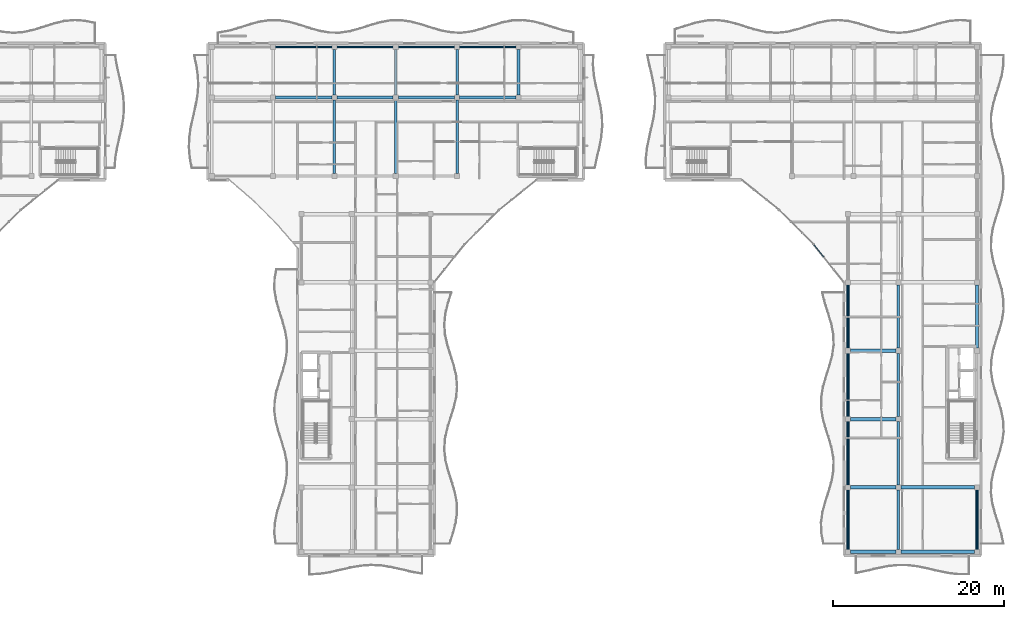
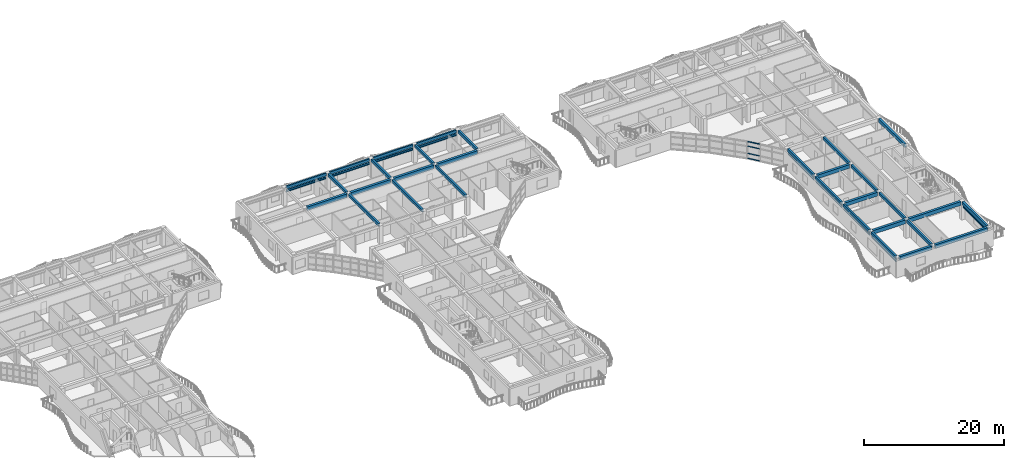
# One storey, part 17 of 71: 31 beams, 22 members, 1 element without a shape of its own.
"""IFC4 building model written with IfcOpenShell, lengths in metres."""

from ifc_helpers import new_model, si_unit, direction, frame, origin, origin_2d, place, context, subcontext, project, spatial, rectangle, hollow_rectangle, extrude, material, layer, layer_set, material_profile, profile_set, type_object, element, aggregate, save


model = new_model("IFC4")

# Units and contexts
model_context = context("Model", 3, precision=1e-05, world=origin(), true_north=direction((0.0, 1.0)))
body_context = subcontext(model_context, "Body", "Model", "MODEL_VIEW")
ifc_project = project(units=[si_unit("LENGTHUNIT", "METRE"), si_unit("AREAUNIT", "SQUARE_METRE"), si_unit("VOLUMEUNIT", "CUBIC_METRE"), si_unit("PLANEANGLEUNIT", "RADIAN"), si_unit("MASSUNIT", "GRAM", prefix="KILO")], contexts=[model_context])

# Site, building, storey
site_placement = place(None, origin())
site = spatial("IfcSite", under=ifc_project, at=site_placement, CompositionType="ELEMENT")
building_placement = place(site_placement, origin())
building = spatial("IfcBuilding", under=site, at=building_placement, Name="Keldmere Railside Commons", CompositionType="ELEMENT")
storey_placement = place(building_placement, frame((0.0, 0.0, 20.159912109375)))
storey = spatial("IfcBuildingStorey", under=building, at=storey_placement, Name="L06", CompositionType="ELEMENT", Elevation=20.159912109375)

# Members
ifc_material_1 = material(Name="Steel F-36 (S355)", Category="steel")
ifc_material_profile_1 = material_profile(ifc_material_1, hollow_rectangle(XDim=0.14990234375, YDim=0.25, WallThickness=0.010009765625, at=origin_2d()), Name="RHS-250x150x10")
ifc_profile_set_1 = profile_set([ifc_material_profile_1], Name="Steel F-36 (S355)")
member_type_1 = type_object("IfcMemberType", Name="Balcony Continuous Planted Trough RHS250x150", PredefinedType="CHORD", material=ifc_profile_set_1)
member_1_placement = place(storey_placement, frame((101.43310546875, 115.550048828125, 2.4150390625), z_axis=(1.0, 0.0, 0.0), x_axis=(0.0, 1.0, 0.0)))
element("IfcMember", 1, at=member_1_placement, inside=storey, type_object=member_type_1, Name="PLT-1 MEM-BPLT-0725", PredefinedType="CHORD", context=body_context, shape_type="SweptSolid", body=[
    extrude(hollow_rectangle(XDim=0.14990234375, YDim=0.25, WallThickness=0.010009765625, at=origin_2d()), origin(), (0.0, 0.0, 1.0), 6.583984375),
])
for number, where, z_axis, x_axis, name in (
    (2, (108.616943359375, 115.550048828125, 2.4150390625), (1.0, 0.0, 0.0), (0.0, 1.0, 0.0), "PLT-1 MEM-BPLT-0727"),
    (3, (115.800048828125, 115.550048828125, 2.4150390625), (1.0, 0.0, 0.0), (0.0, 1.0, 0.0), "PLT-1 MEM-BPLT-0729"),
):
    element("IfcMember", number, at=place(storey_placement, frame(where, z_axis=z_axis, x_axis=x_axis)), inside=storey, type_object=member_type_1, Name=name, PredefinedType="CHORD", context=body_context, shape_type="SweptSolid", body=[
        extrude(hollow_rectangle(XDim=0.14990234375, YDim=0.25, WallThickness=0.010009765625, at=origin_2d()), origin(), (0.0, 0.0, 1.0), 6.5830078125),
    ])
member_2_placement = place(storey_placement, frame((122.98291015625, 115.550048828125, 2.4150390625), z_axis=(1.0, 0.0, 0.0), x_axis=(0.0, 1.0, 0.0)))
element("IfcMember", 4, at=member_2_placement, inside=storey, type_object=member_type_1, Name="PLT-1 MEM-BPLT-0731", PredefinedType="CHORD", context=body_context, shape_type="SweptSolid", body=[
    extrude(hollow_rectangle(XDim=0.14990234375, YDim=0.25, WallThickness=0.010009765625, at=origin_2d()), origin(), (0.0, 0.0, 1.0), 6.583984375),
])
member_3_placement = place(storey_placement, frame((168.449951171875, 56.75, 2.4150390625), z_axis=(0.0, 1.0, 0.0), x_axis=(-1.0, 0.0, 0.0)))
element("IfcMember", 5, at=member_3_placement, inside=storey, type_object=member_type_1, Name="PLT-1 MEM-BPLT-0761", PredefinedType="CHORD", context=body_context, shape_type="SweptSolid", body=[
    extrude(hollow_rectangle(XDim=0.14990234375, YDim=0.25, WallThickness=0.010009765625, at=origin_2d()), origin(), (0.0, 0.0, 1.0), 6.949951171875),
])
for number, where, z_axis, x_axis, name in (
    (6, (168.449951171875, 64.300048828125, 2.4150390625), (0.0, 1.0, 0.0), (-1.0, 0.0, 0.0), "PLT-1 MEM-BPLT-0763"),
    (7, (168.449951171875, 72.300048828125, 2.4150390625), (0.0, 1.0, 0.0), (-1.0, 0.0, 0.0), "PLT-1 MEM-BPLT-0765"),
    (8, (168.449951171875, 80.300048828125, 2.4150390625), (0.0, 1.0, 0.0), (-1.0, 0.0, 0.0), "PLT-1 MEM-BPLT-0767"),
):
    element("IfcMember", number, at=place(storey_placement, frame(where, z_axis=z_axis, x_axis=x_axis)), inside=storey, type_object=member_type_1, Name=name, PredefinedType="CHORD", context=body_context, shape_type="SweptSolid", body=[
        extrude(hollow_rectangle(XDim=0.14990234375, YDim=0.25, WallThickness=0.010009765625, at=origin_2d()), origin(), (0.0, 0.0, 1.0), 7.39990234375),
    ])
member_4_placement = place(storey_placement, frame((183.550048828125, 56.75, 2.4150390625), z_axis=(0.0, 1.0, 0.0), x_axis=(-1.0, 0.0, 0.0)))
element("IfcMember", 9, at=member_4_placement, inside=storey, type_object=member_type_1, Name="PLT-1 MEM-BPLT-0771", PredefinedType="CHORD", context=body_context, shape_type="SweptSolid", body=[
    extrude(hollow_rectangle(XDim=0.14990234375, YDim=0.25, WallThickness=0.010009765625, at=origin_2d()), origin(), (0.0, 0.0, 1.0), 6.949951171875),
])

# Beams
ifc_material_2 = material(Name="Architectural Precast Concrete H-35 (C35/45)", Category="concrete")
ifc_material_profile_2 = material_profile(ifc_material_2, rectangle(XDim=0.25, YDim=0.449951171875, at=origin_2d()), Name="RC-250x450")
ifc_profile_set_2 = profile_set([ifc_material_profile_2], Name="Architectural Precast Concrete H-35 (C35/45)")
beam_type_1 = type_object("IfcBeamType", Name="Perimeter Precast Spandrel Beam 250x450", PredefinedType="SPANDREL", material=ifc_profile_set_2)
beam_1_placement = place(storey_placement, frame((101.43310546875, 115.550048828125, 2.97509765625), z_axis=(1.0, 0.0, 0.0), x_axis=(0.0, 1.0, 0.0)))
element("IfcBeam", 10, at=beam_1_placement, inside=storey, type_object=beam_type_1, Name="SPB-1 BM-L06-1932", PredefinedType="SPANDREL", context=body_context, shape_type="SweptSolid", body=[
    extrude(rectangle(XDim=0.25, YDim=0.449951171875, at=origin_2d()), origin(), (0.0, 0.0, 1.0), 6.583984375),
])
for number, where, z_axis, x_axis, name in (
    (11, (108.616943359375, 115.550048828125, 2.97509765625), (1.0, 0.0, 0.0), (0.0, 1.0, 0.0), "SPB-1 BM-L06-1933"),
    (12, (115.800048828125, 115.550048828125, 2.97509765625), (1.0, 0.0, 0.0), (0.0, 1.0, 0.0), "SPB-1 BM-L06-1934"),
):
    element("IfcBeam", number, at=place(storey_placement, frame(where, z_axis=z_axis, x_axis=x_axis)), inside=storey, type_object=beam_type_1, Name=name, PredefinedType="SPANDREL", context=body_context, shape_type="SweptSolid", body=[
        extrude(rectangle(XDim=0.25, YDim=0.449951171875, at=origin_2d()), origin(), (0.0, 0.0, 1.0), 6.5830078125),
    ])
beam_2_placement = place(storey_placement, frame((122.98291015625, 115.550048828125, 2.97509765625), z_axis=(1.0, 0.0, 0.0), x_axis=(0.0, 1.0, 0.0)))
element("IfcBeam", 13, at=beam_2_placement, inside=storey, type_object=beam_type_1, Name="SPB-1 BM-L06-1935", PredefinedType="SPANDREL", context=body_context, shape_type="SweptSolid", body=[
    extrude(rectangle(XDim=0.25, YDim=0.449951171875, at=origin_2d()), origin(), (0.0, 0.0, 1.0), 6.583984375),
])
ifc_material_3 = material(Name="Concrete H-30 (C30/37)", Category="concrete")
ifc_material_profile_3 = material_profile(ifc_material_3, rectangle(XDim=0.35009765625, YDim=0.60009765625, at=origin_2d()), Name="RC-350x600")
ifc_profile_set_3 = profile_set([ifc_material_profile_3], Name="Concrete H-30 (C30/37)")
beam_type_2 = type_object("IfcBeamType", Name="Residential Chord RC Beam 350x600", PredefinedType="BEAM", material=ifc_profile_set_3)
beam_3_placement = place(storey_placement, frame((183.550048828125, 56.75, 2.900146484375), z_axis=(0.0, 1.0, 0.0), x_axis=(-1.0, 0.0, 0.0)))
element("IfcBeam", 14, at=beam_3_placement, inside=storey, type_object=beam_type_2, Name="BG-4 BM-L06-2014", PredefinedType="BEAM", context=body_context, shape_type="SweptSolid", body=[
    extrude(rectangle(XDim=0.35009765625, YDim=0.60009765625, at=origin_2d()), origin(), (0.0, 0.0, 1.0), 6.949951171875),
])
beam_4_placement = place(storey_placement, frame((183.550048828125, 80.300048828125, 2.900146484375), z_axis=(0.0, 1.0, 0.0), x_axis=(-1.0, 0.0, 0.0)))
element("IfcBeam", 15, at=beam_4_placement, inside=storey, type_object=beam_type_2, Name="BG-4 BM-L06-2015", PredefinedType="BEAM", context=body_context, shape_type="SweptSolid", body=[
    extrude(rectangle(XDim=0.35009765625, YDim=0.60009765625, at=origin_2d()), origin(), (0.0, 0.0, 1.0), 7.39990234375),
])
ifc_material_profile_4 = material_profile(ifc_material_3, rectangle(XDim=0.39990234375, YDim=0.64990234375, at=origin_2d()), Name="RC-400x650")
ifc_profile_set_4 = profile_set([ifc_material_profile_4], Name="Concrete H-30 (C30/37)")
beam_type_3 = type_object("IfcBeamType", Name="Residential Spine RC Girder 400x650", PredefinedType="BEAM", material=ifc_profile_set_4)
beam_5_placement = place(storey_placement, frame((168.75, 56.449951171875, 2.875), z_axis=(1.0, 0.0, 0.0), x_axis=(0.0, 1.0, 0.0)))
element("IfcBeam", 16, at=beam_5_placement, inside=storey, type_object=beam_type_3, Name="BG-3 BM-L06-1863", PredefinedType="BEAM", context=body_context, shape_type="SweptSolid", body=[
    extrude(rectangle(XDim=0.39990234375, YDim=0.64990234375, at=origin_2d()), origin(), (0.0, 0.0, 1.0), 5.300048828125),
])
beam_6_placement = place(storey_placement, frame((174.64990234375, 56.449951171875, 2.875), z_axis=(1.0, 0.0, 0.0), x_axis=(0.0, 1.0, 0.0)))
element("IfcBeam", 17, at=beam_6_placement, inside=storey, type_object=beam_type_3, Name="BG-3 BM-L06-1864", PredefinedType="BEAM", context=body_context, shape_type="SweptSolid", body=[
    extrude(rectangle(XDim=0.39990234375, YDim=0.64990234375, at=origin_2d()), origin(), (0.0, 0.0, 1.0), 8.60009765625),
])
beam_7_placement = place(storey_placement, frame((168.75, 64.0, 2.875), z_axis=(1.0, 0.0, 0.0), x_axis=(0.0, 1.0, 0.0)))
element("IfcBeam", 18, at=beam_7_placement, inside=storey, type_object=beam_type_3, Name="BG-3 BM-L06-1871", PredefinedType="BEAM", context=body_context, shape_type="SweptSolid", body=[
    extrude(rectangle(XDim=0.39990234375, YDim=0.64990234375, at=origin_2d()), origin(), (0.0, 0.0, 1.0), 5.300048828125),
])
beam_8_placement = place(storey_placement, frame((174.64990234375, 64.0, 2.875), z_axis=(1.0, 0.0, 0.0), x_axis=(0.0, 1.0, 0.0)))
element("IfcBeam", 19, at=beam_8_placement, inside=storey, type_object=beam_type_3, Name="BG-3 BM-L06-1872", PredefinedType="BEAM", context=body_context, shape_type="SweptSolid", body=[
    extrude(rectangle(XDim=0.39990234375, YDim=0.64990234375, at=origin_2d()), origin(), (0.0, 0.0, 1.0), 8.60009765625),
])
for number, where, z_axis, x_axis, name in (
    (20, (168.75, 72.0, 2.875), (1.0, 0.0, 0.0), (0.0, 1.0, 0.0), "BG-3 BM-L06-1876"),
    (21, (168.75, 80.0, 2.875), (1.0, 0.0, 0.0), (0.0, 1.0, 0.0), "BG-3 BM-L06-1880"),
):
    element("IfcBeam", number, at=place(storey_placement, frame(where, z_axis=z_axis, x_axis=x_axis)), inside=storey, type_object=beam_type_3, Name=name, PredefinedType="BEAM", context=body_context, shape_type="SweptSolid", body=[
        extrude(rectangle(XDim=0.39990234375, YDim=0.64990234375, at=origin_2d()), origin(), (0.0, 0.0, 1.0), 5.300048828125),
    ])
beam_9_placement = place(storey_placement, frame((101.43310546875, 109.64990234375, 2.875), z_axis=(1.0, 0.0, 0.0), x_axis=(0.0, 1.0, 0.0)))
element("IfcBeam", 22, at=beam_9_placement, inside=storey, type_object=beam_type_3, Name="BG-3 BM-L06-1916", PredefinedType="BEAM", context=body_context, shape_type="SweptSolid", body=[
    extrude(rectangle(XDim=0.39990234375, YDim=0.64990234375, at=origin_2d()), origin(), (0.0, 0.0, 1.0), 6.583984375),
])
for number, where, z_axis, x_axis, name in (
    (23, (108.616943359375, 109.64990234375, 2.875), (1.0, 0.0, 0.0), (0.0, 1.0, 0.0), "BG-3 BM-L06-1917"),
    (24, (115.800048828125, 109.64990234375, 2.875), (1.0, 0.0, 0.0), (0.0, 1.0, 0.0), "BG-3 BM-L06-1918"),
):
    element("IfcBeam", number, at=place(storey_placement, frame(where, z_axis=z_axis, x_axis=x_axis)), inside=storey, type_object=beam_type_3, Name=name, PredefinedType="BEAM", context=body_context, shape_type="SweptSolid", body=[
        extrude(rectangle(XDim=0.39990234375, YDim=0.64990234375, at=origin_2d()), origin(), (0.0, 0.0, 1.0), 6.5830078125),
    ])
beam_10_placement = place(storey_placement, frame((122.98291015625, 109.64990234375, 2.875), z_axis=(1.0, 0.0, 0.0), x_axis=(0.0, 1.0, 0.0)))
element("IfcBeam", 25, at=beam_10_placement, inside=storey, type_object=beam_type_3, Name="BG-3 BM-L06-1919", PredefinedType="BEAM", context=body_context, shape_type="SweptSolid", body=[
    extrude(rectangle(XDim=0.39990234375, YDim=0.64990234375, at=origin_2d()), origin(), (0.0, 0.0, 1.0), 6.583984375),
])
ifc_material_profile_5 = material_profile(ifc_material_3, rectangle(XDim=0.300048828125, YDim=0.5, at=origin_2d()), Name="RC-300x500")
ifc_profile_set_5 = profile_set([ifc_material_profile_5], Name="Concrete H-30 (C30/37)")
beam_type_4 = type_object("IfcBeamType", Name="Secondary Frame RC Beam 300x500", PredefinedType="BEAM", material=ifc_profile_set_5)
beam_11_placement = place(storey_placement, frame((108.31689453125, 100.75, 2.9501953125), z_axis=(0.0, 1.0, 0.0), x_axis=(-1.0, 0.0, 0.0)))
element("IfcBeam", 26, at=beam_11_placement, inside=storey, type_object=beam_type_4, Name="BG-5 BM-L06-1979", PredefinedType="BEAM", context=body_context, shape_type="SweptSolid", body=[
    extrude(rectangle(XDim=0.300048828125, YDim=0.5, at=origin_2d()), origin(), (0.0, 0.0, 1.0), 8.60009765625),
])
beam_12_placement = place(storey_placement, frame((108.31689453125, 109.949951171875, 2.9501953125), z_axis=(0.0, 1.0, 0.0), x_axis=(-1.0, 0.0, 0.0)))
element("IfcBeam", 27, at=beam_12_placement, inside=storey, type_object=beam_type_4, Name="BG-5 BM-L06-1980", PredefinedType="BEAM", context=body_context, shape_type="SweptSolid", body=[
    extrude(rectangle(XDim=0.300048828125, YDim=0.5, at=origin_2d()), origin(), (0.0, 0.0, 1.0), 5.300048828125),
])
beam_13_placement = place(storey_placement, frame((115.5, 100.75, 2.9501953125), z_axis=(0.0, 1.0, 0.0), x_axis=(-1.0, 0.0, 0.0)))
element("IfcBeam", 28, at=beam_13_placement, inside=storey, type_object=beam_type_4, Name="BG-5 BM-L06-1986", PredefinedType="BEAM", context=body_context, shape_type="SweptSolid", body=[
    extrude(rectangle(XDim=0.300048828125, YDim=0.5, at=origin_2d()), origin(), (0.0, 0.0, 1.0), 8.60009765625),
])
beam_14_placement = place(storey_placement, frame((115.5, 109.949951171875, 2.9501953125), z_axis=(0.0, 1.0, 0.0), x_axis=(-1.0, 0.0, 0.0)))
element("IfcBeam", 29, at=beam_14_placement, inside=storey, type_object=beam_type_4, Name="BG-5 BM-L06-1987", PredefinedType="BEAM", context=body_context, shape_type="SweptSolid", body=[
    extrude(rectangle(XDim=0.300048828125, YDim=0.5, at=origin_2d()), origin(), (0.0, 0.0, 1.0), 5.300048828125),
])
beam_15_placement = place(storey_placement, frame((122.68310546875, 100.75, 2.9501953125), z_axis=(0.0, 1.0, 0.0), x_axis=(-1.0, 0.0, 0.0)))
element("IfcBeam", 30, at=beam_15_placement, inside=storey, type_object=beam_type_4, Name="BG-5 BM-L06-1993", PredefinedType="BEAM", context=body_context, shape_type="SweptSolid", body=[
    extrude(rectangle(XDim=0.300048828125, YDim=0.5, at=origin_2d()), origin(), (0.0, 0.0, 1.0), 8.60009765625),
])
for number, where, z_axis, x_axis, name in (
    (31, (122.68310546875, 109.949951171875, 2.9501953125), (0.0, 1.0, 0.0), (-1.0, 0.0, 0.0), "BG-5 BM-L06-1994"),
    (32, (129.866943359375, 109.949951171875, 2.9501953125), (0.0, 1.0, 0.0), (-1.0, 0.0, 0.0), "BG-5 BM-L06-1995"),
):
    element("IfcBeam", number, at=place(storey_placement, frame(where, z_axis=z_axis, x_axis=x_axis)), inside=storey, type_object=beam_type_4, Name=name, PredefinedType="BEAM", context=body_context, shape_type="SweptSolid", body=[
        extrude(rectangle(XDim=0.300048828125, YDim=0.5, at=origin_2d()), origin(), (0.0, 0.0, 1.0), 5.300048828125),
    ])
beam_16_placement = place(storey_placement, frame((168.449951171875, 56.75, 2.9501953125), z_axis=(0.0, 1.0, 0.0), x_axis=(-1.0, 0.0, 0.0)))
element("IfcBeam", 33, at=beam_16_placement, inside=storey, type_object=beam_type_4, Name="BG-5 BM-L06-2001", PredefinedType="BEAM", context=body_context, shape_type="SweptSolid", body=[
    extrude(rectangle(XDim=0.300048828125, YDim=0.5, at=origin_2d()), origin(), (0.0, 0.0, 1.0), 6.949951171875),
])
for number, where, z_axis, x_axis, name in (
    (34, (168.449951171875, 64.300048828125, 2.9501953125), (0.0, 1.0, 0.0), (-1.0, 0.0, 0.0), "BG-5 BM-L06-2002"),
    (35, (168.449951171875, 72.300048828125, 2.9501953125), (0.0, 1.0, 0.0), (-1.0, 0.0, 0.0), "BG-5 BM-L06-2003"),
    (36, (168.449951171875, 80.300048828125, 2.9501953125), (0.0, 1.0, 0.0), (-1.0, 0.0, 0.0), "BG-5 BM-L06-2004"),
):
    element("IfcBeam", number, at=place(storey_placement, frame(where, z_axis=z_axis, x_axis=x_axis)), inside=storey, type_object=beam_type_4, Name=name, PredefinedType="BEAM", context=body_context, shape_type="SweptSolid", body=[
        extrude(rectangle(XDim=0.300048828125, YDim=0.5, at=origin_2d()), origin(), (0.0, 0.0, 1.0), 7.39990234375),
    ])
beam_17_placement = place(storey_placement, frame((174.35009765625, 56.75, 2.9501953125), z_axis=(0.0, 1.0, 0.0), x_axis=(-1.0, 0.0, 0.0)))
element("IfcBeam", 37, at=beam_17_placement, inside=storey, type_object=beam_type_4, Name="BG-5 BM-L06-2008", PredefinedType="BEAM", context=body_context, shape_type="SweptSolid", body=[
    extrude(rectangle(XDim=0.300048828125, YDim=0.5, at=origin_2d()), origin(), (0.0, 0.0, 1.0), 6.949951171875),
])
for number, where, z_axis, x_axis, name in (
    (38, (174.35009765625, 64.300048828125, 2.9501953125), (0.0, 1.0, 0.0), (-1.0, 0.0, 0.0), "BG-5 BM-L06-2009"),
    (39, (174.35009765625, 72.300048828125, 2.9501953125), (0.0, 1.0, 0.0), (-1.0, 0.0, 0.0), "BG-5 BM-L06-2010"),
    (40, (174.35009765625, 80.300048828125, 2.9501953125), (0.0, 1.0, 0.0), (-1.0, 0.0, 0.0), "BG-5 BM-L06-2011"),
):
    element("IfcBeam", number, at=place(storey_placement, frame(where, z_axis=z_axis, x_axis=x_axis)), inside=storey, type_object=beam_type_4, Name=name, PredefinedType="BEAM", context=body_context, shape_type="SweptSolid", body=[
        extrude(rectangle(XDim=0.300048828125, YDim=0.5, at=origin_2d()), origin(), (0.0, 0.0, 1.0), 7.39990234375),
    ])

# Members
ifc_material_profile_6 = material_profile(ifc_material_1, hollow_rectangle(XDim=0.10009765625, YDim=0.159912109375, WallThickness=0.008056640625, at=origin_2d()), Name="RHS-160x100x8")
ifc_profile_set_6 = profile_set([ifc_material_profile_6], Name="Steel F-36 (S355)")
member_type_2 = type_object("IfcMemberType", Name="Solar Brise-Soleil Louvre Fin RHS160x100", PredefinedType="STRUT", material=ifc_profile_set_6)
member_5_placement = place(storey_placement, frame((101.43310546875, 115.550048828125, 2.2001953125), z_axis=(1.0, 0.0, 0.0), x_axis=(0.0, 1.0, 0.0)))
element("IfcMember", 41, at=member_5_placement, inside=storey, type_object=member_type_2, Name="BSF-1 MEM-BSF-0726", PredefinedType="STRUT", context=body_context, shape_type="SweptSolid", body=[
    extrude(hollow_rectangle(XDim=0.10009765625, YDim=0.159912109375, WallThickness=0.008056640625, at=origin_2d()), origin(), (0.0, 0.0, 1.0), 6.583984375),
])
for number, where, z_axis, x_axis, name in (
    (42, (108.616943359375, 115.550048828125, 2.2001953125), (1.0, 0.0, 0.0), (0.0, 1.0, 0.0), "BSF-1 MEM-BSF-0728"),
    (43, (115.800048828125, 115.550048828125, 2.2001953125), (1.0, 0.0, 0.0), (0.0, 1.0, 0.0), "BSF-1 MEM-BSF-0730"),
):
    element("IfcMember", number, at=place(storey_placement, frame(where, z_axis=z_axis, x_axis=x_axis)), inside=storey, type_object=member_type_2, Name=name, PredefinedType="STRUT", context=body_context, shape_type="SweptSolid", body=[
        extrude(hollow_rectangle(XDim=0.10009765625, YDim=0.159912109375, WallThickness=0.008056640625, at=origin_2d()), origin(), (0.0, 0.0, 1.0), 6.5830078125),
    ])
member_6_placement = place(storey_placement, frame((122.98291015625, 115.550048828125, 2.2001953125), z_axis=(1.0, 0.0, 0.0), x_axis=(0.0, 1.0, 0.0)))
element("IfcMember", 44, at=member_6_placement, inside=storey, type_object=member_type_2, Name="BSF-1 MEM-BSF-0732", PredefinedType="STRUT", context=body_context, shape_type="SweptSolid", body=[
    extrude(hollow_rectangle(XDim=0.10009765625, YDim=0.159912109375, WallThickness=0.008056640625, at=origin_2d()), origin(), (0.0, 0.0, 1.0), 6.583984375),
])
member_7_placement = place(storey_placement, frame((168.449951171875, 56.75, 2.2001953125), z_axis=(0.0, 1.0, 0.0), x_axis=(-1.0, 0.0, 0.0)))
element("IfcMember", 45, at=member_7_placement, inside=storey, type_object=member_type_2, Name="BSF-1 MEM-BSF-0762", PredefinedType="STRUT", context=body_context, shape_type="SweptSolid", body=[
    extrude(hollow_rectangle(XDim=0.10009765625, YDim=0.159912109375, WallThickness=0.008056640625, at=origin_2d()), origin(), (0.0, 0.0, 1.0), 6.949951171875),
])
for number, where, z_axis, x_axis, name in (
    (46, (168.449951171875, 64.300048828125, 2.2001953125), (0.0, 1.0, 0.0), (-1.0, 0.0, 0.0), "BSF-1 MEM-BSF-0764"),
    (47, (168.449951171875, 72.300048828125, 2.2001953125), (0.0, 1.0, 0.0), (-1.0, 0.0, 0.0), "BSF-1 MEM-BSF-0766"),
    (48, (168.449951171875, 80.300048828125, 2.2001953125), (0.0, 1.0, 0.0), (-1.0, 0.0, 0.0), "BSF-1 MEM-BSF-0768"),
):
    element("IfcMember", number, at=place(storey_placement, frame(where, z_axis=z_axis, x_axis=x_axis)), inside=storey, type_object=member_type_2, Name=name, PredefinedType="STRUT", context=body_context, shape_type="SweptSolid", body=[
        extrude(hollow_rectangle(XDim=0.10009765625, YDim=0.159912109375, WallThickness=0.008056640625, at=origin_2d()), origin(), (0.0, 0.0, 1.0), 7.39990234375),
    ])
member_8_placement = place(storey_placement, frame((183.550048828125, 56.75, 2.2001953125), z_axis=(0.0, 1.0, 0.0), x_axis=(-1.0, 0.0, 0.0)))
element("IfcMember", 49, at=member_8_placement, inside=storey, type_object=member_type_2, Name="BSF-1 MEM-BSF-0772", PredefinedType="STRUT", context=body_context, shape_type="SweptSolid", body=[
    extrude(hollow_rectangle(XDim=0.10009765625, YDim=0.159912109375, WallThickness=0.008056640625, at=origin_2d()), origin(), (0.0, 0.0, 1.0), 6.949951171875),
])

# Curtain wall, members
ifc_material_4 = material(Name="Thermally Broken Aluminium", Category="aluminium")
ifc_layer = layer(ifc_material_4, 0.159912109375, Name="Court Chord Wintergarden CW 5400x2850")
ifc_layer_set = layer_set([ifc_layer], Name="Thermally Broken Aluminium")
curtain_wall_type = type_object("IfcCurtainWallType", Name="Court Chord Wintergarden CW 5400x2850", PredefinedType="NOTDEFINED", material=ifc_layer_set)
curtain_wall_placement = place(storey_placement, origin())
curtain_wall = element("IfcCurtainWall", 50, at=curtain_wall_placement, inside=storey, type_object=curtain_wall_type, Name="CW-13 CW-L06-177", PredefinedType="NOTDEFINED")
ifc_material_profile_7 = material_profile(ifc_material_4, hollow_rectangle(XDim=0.06494140625, YDim=0.1201171875, WallThickness=0.00390625, at=origin_2d()), Name="ALU-TRAN-65x120")
ifc_profile_set_7 = profile_set([ifc_material_profile_7], Name="Thermally Broken Aluminium")
member_type_3 = type_object("IfcMemberType", Name="Unitised Curtain Wall Transom 65x120", PredefinedType="USERDEFINED", material=ifc_profile_set_7)
member_9_placement = place(storey_placement, frame((165.6103515625, 90.978759765625, 0.032470703125), z_axis=(-0.625805275091, 0.779979331565, 0.0), x_axis=(-0.779979331565, -0.625805275091, 0.0)))
member_9 = element("IfcMember", 51, at=member_9_placement, type_object=member_type_3, Name="CW-13 transom 3.1", ObjectType="TRANSOM", PredefinedType="USERDEFINED", context=body_context, shape_type="SweptSolid", body=[
    extrude(hollow_rectangle(XDim=0.06494140625, YDim=0.1201171875, WallThickness=0.00390625, at=origin_2d()), origin(), (0.0, 0.0, 1.0), 1.795654296875),
])
member_10_placement = place(storey_placement, frame((165.6103515625, 90.978759765625, 0.900146484375), z_axis=(-0.625805275091, 0.779979331565, 0.0), x_axis=(-0.779979331565, -0.625805275091, 0.0)))
member_10 = element("IfcMember", 52, at=member_10_placement, type_object=member_type_3, Name="CW-13 transom 3.2", ObjectType="TRANSOM", PredefinedType="USERDEFINED", context=body_context, shape_type="SweptSolid", body=[
    extrude(hollow_rectangle(XDim=0.06494140625, YDim=0.1201171875, WallThickness=0.00390625, at=origin_2d()), origin(), (0.0, 0.0, 1.0), 1.795654296875),
])
member_11_placement = place(storey_placement, frame((165.6103515625, 90.978759765625, 2.150146484375), z_axis=(-0.625805275091, 0.779979331565, 0.0), x_axis=(-0.779979331565, -0.625805275091, 0.0)))
member_11 = element("IfcMember", 53, at=member_11_placement, type_object=member_type_3, Name="CW-13 transom 3.3", ObjectType="TRANSOM", PredefinedType="USERDEFINED", context=body_context, shape_type="SweptSolid", body=[
    extrude(hollow_rectangle(XDim=0.06494140625, YDim=0.1201171875, WallThickness=0.00390625, at=origin_2d()), origin(), (0.0, 0.0, 1.0), 1.795654296875),
])
member_12_placement = place(storey_placement, frame((165.6103515625, 90.978759765625, 2.947509765625), z_axis=(-0.625805275091, 0.779979331565, 0.0), x_axis=(-0.779979331565, -0.625805275091, 0.0)))
member_12 = element("IfcMember", 54, at=member_12_placement, type_object=member_type_3, Name="CW-13 transom 3.4", ObjectType="TRANSOM", PredefinedType="USERDEFINED", context=body_context, shape_type="SweptSolid", body=[
    extrude(hollow_rectangle(XDim=0.06494140625, YDim=0.1201171875, WallThickness=0.00390625, at=origin_2d()), origin(), (0.0, 0.0, 1.0), 1.795654296875),
])
aggregate(curtain_wall, [member_9, member_10, member_11, member_12])

save(model, "model.ifc")
